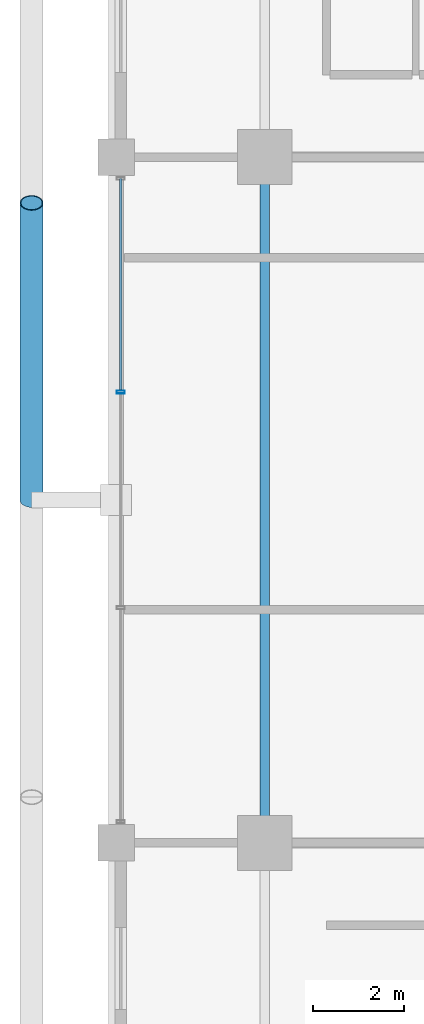
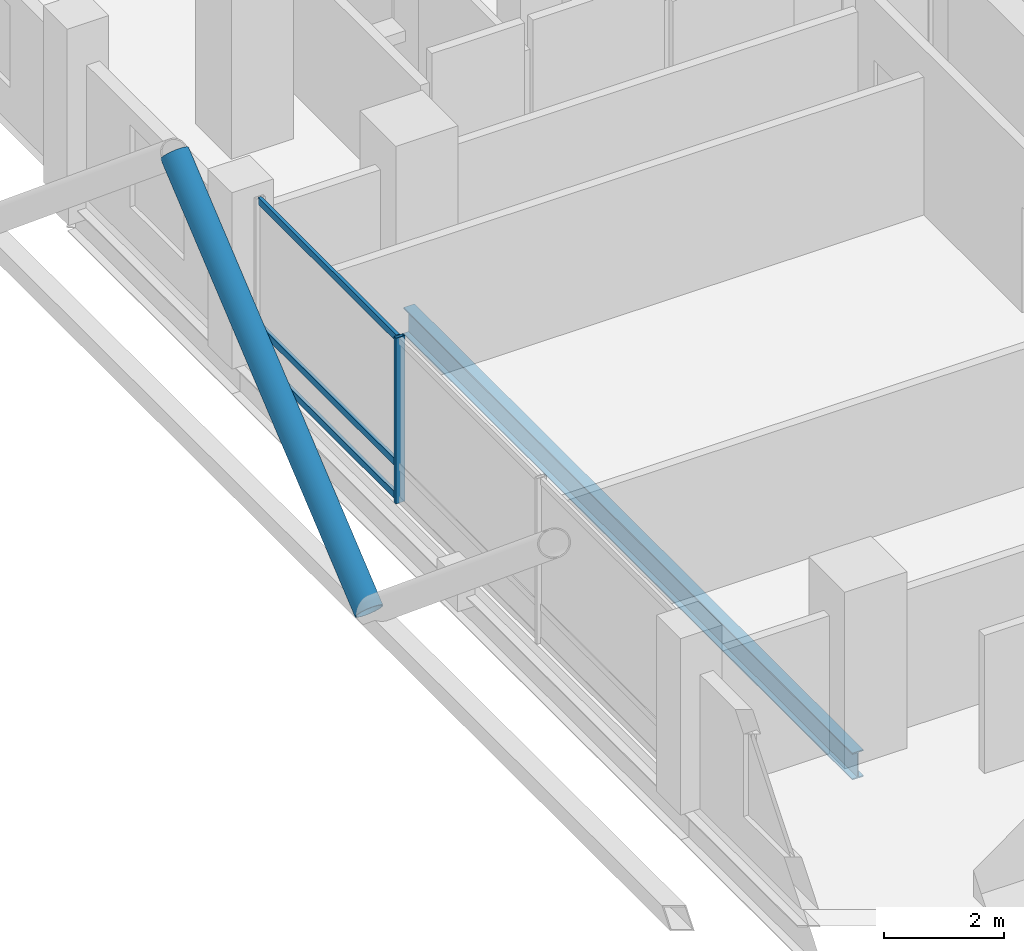
# One storey, part 7 of 24: 5 members, 1 beam, 1 element without a shape of its own.
"""IFC4 building model written with IfcOpenShell, lengths in metres."""

from ifc_helpers import new_model, si_unit, direction, frame, origin, origin_2d, place, context, subcontext, project, spatial, hollow_rectangle, hollow_circle, i_section, extrude, material, layer, layer_set, material_profile, profile_set, type_object, element, aggregate, save


model = new_model("IFC4")

# Units and contexts
model_context = context("Model", 3, precision=1e-05, world=origin(), true_north=direction((0.0, 1.0)))
body_context = subcontext(model_context, "Body", "Model", "MODEL_VIEW")
ifc_project = project(units=[si_unit("LENGTHUNIT", "METRE"), si_unit("AREAUNIT", "SQUARE_METRE"), si_unit("VOLUMEUNIT", "CUBIC_METRE"), si_unit("PLANEANGLEUNIT", "RADIAN"), si_unit("MASSUNIT", "GRAM", prefix="KILO")], contexts=[model_context])

# Site, building, storey
site_placement = place(None, origin())
site = spatial("IfcSite", under=ifc_project, at=site_placement, CompositionType="ELEMENT")
building_placement = place(site_placement, origin())
building = spatial("IfcBuilding", under=site, at=building_placement, Name="Barlavira Tower and Art Museum", CompositionType="ELEMENT")
storey_placement = place(building_placement, frame((0.0, 0.0, 109.800048828125)))
storey = spatial("IfcBuildingStorey", under=building, at=storey_placement, Name="L27", CompositionType="ELEMENT", Elevation=109.800048828125)

# Curtain wall, members
ifc_material_1 = material(Name="Low-iron coastal laminated glass", Category="glass")
ifc_layer = layer(ifc_material_1, 0.18994140625, Name="Low-iron coastal laminated glass")
ifc_layer_set = layer_set([ifc_layer], Name="Low-iron coastal laminated glass")
curtain_wall_type = type_object("IfcCurtainWallType", Name="Pale-Metal Unitised Curtain Wall Zone 2", PredefinedType="NOTDEFINED", material=ifc_layer_set)
curtain_wall_placement = place(storey_placement, origin())
curtain_wall = element("IfcCurtainWall", 1, at=curtain_wall_placement, inside=storey, type_object=curtain_wall_type, Name="L27 Curtain Wall CW2-L27-W-B3", PredefinedType="NOTDEFINED")
ifc_material_2 = material(Name="Pale anodised aluminium", Category="aluminium")
ifc_material_profile_1 = material_profile(ifc_material_2, hollow_rectangle(XDim=0.06494140625, YDim=0.179931640625, WallThickness=0.00390625, at=origin_2d()), Name="ALU-MULL 65x180x4")
ifc_profile_set_1 = profile_set([ifc_material_profile_1], Name="Pale anodised aluminium")
member_type_1 = type_object("IfcMemberType", Name="Curtain Wall Pale-Metal Mullion 65x180", PredefinedType="MULLION", material=ifc_profile_set_1)
member_1_placement = place(storey_placement, frame((-20.14990234375, 2.360107421875, 0.0), z_axis=(0.0, 0.0, 1.0), x_axis=(0.0, -1.0, 0.0)))
member_1 = element("IfcMember", 2, at=member_1_placement, type_object=member_type_1, Name="CW2-L27-W-B3 Mullion 1", PredefinedType="MULLION", context=body_context, shape_type="SweptSolid", body=[
    extrude(hollow_rectangle(XDim=0.06494140625, YDim=0.179931640625, WallThickness=0.00390625, at=origin_2d()), origin(), (0.0, 0.0, 1.0), 3.3798828125),
])
ifc_material_profile_2 = material_profile(ifc_material_2, hollow_rectangle(XDim=0.06494140625, YDim=0.139892578125, WallThickness=0.00390625, at=origin_2d()), Name="ALU-TRAN 65x140x4")
ifc_profile_set_2 = profile_set([ifc_material_profile_2], Name="Pale anodised aluminium")
member_type_2 = type_object("IfcMemberType", Name="Curtain Wall Pale-Metal Transom 65x140", PredefinedType="USERDEFINED", material=ifc_profile_set_2)
member_2_placement = place(storey_placement, frame((-20.14990234375, 7.034912109375, 0.070068359375), z_axis=(0.0, -1.0, 0.0), x_axis=(1.0, 0.0, 0.0)))
member_2 = element("IfcMember", 3, at=member_2_placement, type_object=member_type_2, Name="CW2-L27-W-B3 Transom 0.1", ObjectType="TRANSOM", PredefinedType="USERDEFINED", context=body_context, shape_type="SweptSolid", body=[
    extrude(hollow_rectangle(XDim=0.06494140625, YDim=0.139892578125, WallThickness=0.00390625, at=origin_2d()), origin(), (0.0, 0.0, 1.0), 4.6298828125),
])
member_3_placement = place(storey_placement, frame((-20.14990234375, 7.034912109375, 0.743896484375), z_axis=(0.0, -1.0, 0.0), x_axis=(1.0, 0.0, 0.0)))
member_3 = element("IfcMember", 4, at=member_3_placement, type_object=member_type_2, Name="CW2-L27-W-B3 Transom 0.2", ObjectType="TRANSOM", PredefinedType="USERDEFINED", context=body_context, shape_type="SweptSolid", body=[
    extrude(hollow_rectangle(XDim=0.06494140625, YDim=0.139892578125, WallThickness=0.00390625, at=origin_2d()), origin(), (0.0, 0.0, 1.0), 4.6298828125),
])
member_4_placement = place(storey_placement, frame((-20.14990234375, 7.034912109375, 3.31005859375), z_axis=(0.0, -1.0, 0.0), x_axis=(1.0, 0.0, 0.0)))
member_4 = element("IfcMember", 5, at=member_4_placement, type_object=member_type_2, Name="CW2-L27-W-B3 Transom 0.3", ObjectType="TRANSOM", PredefinedType="USERDEFINED", context=body_context, shape_type="SweptSolid", body=[
    extrude(hollow_rectangle(XDim=0.06494140625, YDim=0.139892578125, WallThickness=0.00390625, at=origin_2d()), origin(), (0.0, 0.0, 1.0), 4.6298828125),
])
aggregate(curtain_wall, [member_1, member_2, member_3, member_4])

# Member
ifc_material_3 = material(Name="Steel S355", Category="steel")
ifc_material_profile_3 = material_profile(ifc_material_3, hollow_circle(Radius=0.25390625, WallThickness=0.022216796875, at=origin_2d()), Name="CHS 508.0x22.2")
ifc_profile_set_3 = profile_set([ifc_material_profile_3], Name="Steel S355")
member_type_3 = type_object("IfcMemberType", Name="Pale-Metal Exoskeleton Diagrid Tube CHS 508x22 Steel S355", PredefinedType="BRACE", material=ifc_profile_set_3)
member_5_placement = place(storey_placement, frame((-22.10009765625, 0.0, -0.1201171875), z_axis=(0.0, 0.76918185268, 0.639029950399), x_axis=(-1.0, 0.0, 0.0)))
element("IfcMember", 6, at=member_5_placement, inside=storey, type_object=member_type_3, Name="L27 Exoskeleton Diagrid Tube W", PredefinedType="BRACE", context=body_context, shape_type="SweptSolid", body=[
    extrude(hollow_circle(Radius=0.25390625, WallThickness=0.022216796875, at=origin_2d()), origin(), (0.0, 0.0, 1.0), 8.450439453125),
])

# Beam
ifc_material_profile_4 = material_profile(ifc_material_3, i_section(OverallWidth=0.214111328125, OverallDepth=0.549072265625, WebThickness=0.0146484375, FlangeThickness=0.023681640625, at=origin_2d()), Name="W530x138.0")
ifc_profile_set_4 = profile_set([ifc_material_profile_4], Name="Steel S355")
beam_type = type_object("IfcBeamType", Name="Zone 1 Primary Floor Girder W530x138 Steel S355", PredefinedType="BEAM", material=ifc_profile_set_4)
beam_placement = place(storey_placement, frame((-17.0, -7.5, -0.49462890625), z_axis=(0.0, 1.0, 0.0), x_axis=(-1.0, 0.0, 0.0)))
element("IfcBeam", 7, at=beam_placement, inside=storey, type_object=beam_type, Name="L27 Girder M-W2", PredefinedType="BEAM", context=body_context, shape_type="SweptSolid", body=[
    extrude(i_section(OverallWidth=0.214111328125, OverallDepth=0.549072265625, WebThickness=0.0146484375, FlangeThickness=0.023681640625, at=origin_2d()), origin(), (0.0, 0.0, 1.0), 15.0),
])

save(model, "model.ifc")
